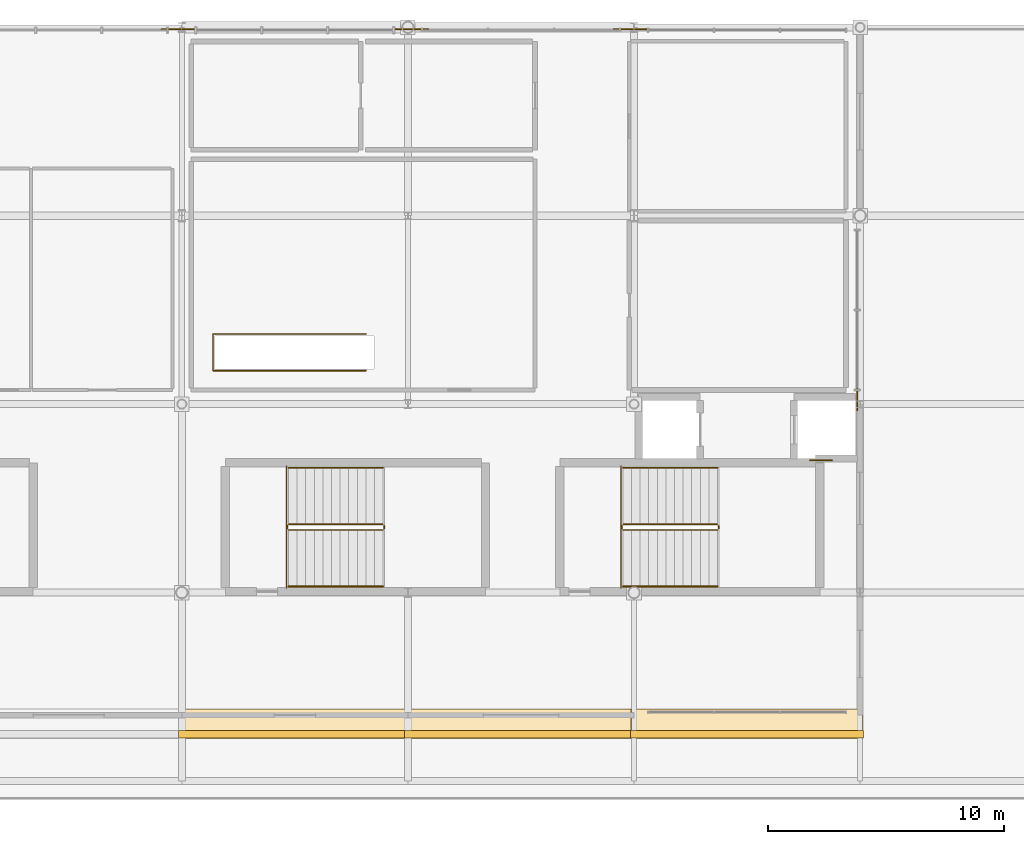
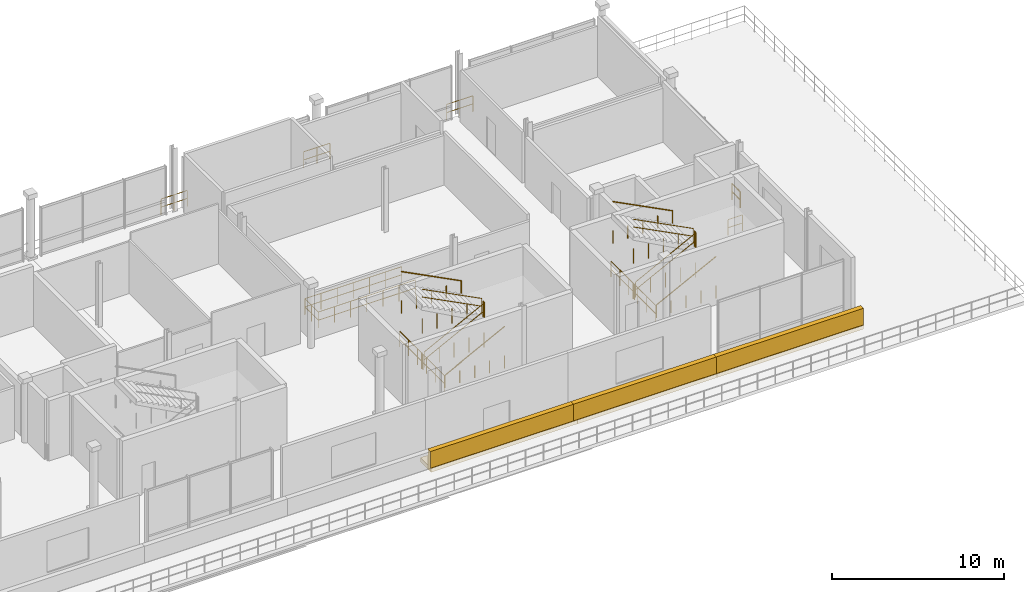
# One storey, part 25 of 26: 20 railings, 6 coverings.
"""IFC4 building model written with IfcOpenShell, lengths in metres."""

from ifc_helpers import new_model, si_unit, direction, frame, origin, origin_2d, place, context, subcontext, project, spatial, rectangle, circle, extrude, material, layer, layer_set, type_object, element, save


model = new_model("IFC4")

# Units and contexts
model_context = context("Model", 3, precision=1e-05, world=origin(), true_north=direction((0.0, 1.0)))
body_context = subcontext(model_context, "Body", "Model", "MODEL_VIEW")
ifc_project = project(units=[si_unit("LENGTHUNIT", "METRE"), si_unit("AREAUNIT", "SQUARE_METRE"), si_unit("VOLUMEUNIT", "CUBIC_METRE"), si_unit("PLANEANGLEUNIT", "RADIAN"), si_unit("MASSUNIT", "GRAM", prefix="KILO")], contexts=[model_context])

# Site, building, storey
site_placement = place(None, origin())
site = spatial("IfcSite", under=ifc_project, at=site_placement, CompositionType="ELEMENT")
building_placement = place(site_placement, origin())
building = spatial("IfcBuilding", under=site, at=building_placement, Name="Danafjord Basin Convention Centre", CompositionType="ELEMENT")
storey_placement = place(building_placement, frame((0.0, 0.0, 24.89990234375)))
storey = spatial("IfcBuildingStorey", under=building, at=storey_placement, Name="L05", CompositionType="ELEMENT", Elevation=24.89990234375)

# Coverings
ifc_material_1 = material(Name="Architectural white precast concrete C45/55", Category="concrete")
ifc_layer = layer(ifc_material_1, 0.320068359375)
ifc_layer_set = layer_set([ifc_layer], Name="Architectural white precast concrete C45/55")
covering_type = type_object("IfcCoveringType", Name="COV-BAND-HORIZ", PredefinedType="CLADDING", material=ifc_layer_set)
covering_1_placement = place(storey_placement, frame((72.0, 10.425048828125, -0.27978515625), z_axis=(0.0, 0.0, 1.0), x_axis=(1.0, 0.0, 0.0)))
element("IfcCovering", 1, at=covering_1_placement, inside=storey, type_object=covering_type, Name="L05 stepped horizontal band soffit plate 55", PredefinedType="CLADDING", context=body_context, shape_type="SweptSolid", body=[
    extrude(rectangle(XDim=9.840087890625, YDim=1.25, at=origin_2d()), origin(), (0.0, 0.0, 1.0), 0.280029296875),
])
covering_2_placement = place(storey_placement, frame((72.0, 9.989990234375, -0.23974609375), z_axis=(0.0, 0.0, 1.0), x_axis=(1.0, 0.0, 0.0)))
element("IfcCovering", 2, at=covering_2_placement, inside=storey, type_object=covering_type, Name="L05 layered horizontal white spandrel band 55", PredefinedType="CLADDING", context=body_context, shape_type="SweptSolid", body=[
    extrude(rectangle(XDim=9.8798828125, YDim=0.320068359375, at=origin_2d()), origin(), (0.0, 0.0, 1.0), 1.419921875),
])
covering_3_placement = place(storey_placement, frame((81.60009765625, 10.425048828125, -0.27978515625), z_axis=(0.0, 0.0, 1.0), x_axis=(1.0, 0.0, 0.0)))
element("IfcCovering", 3, at=covering_3_placement, inside=storey, type_object=covering_type, Name="L05 stepped horizontal band soffit plate 56", PredefinedType="CLADDING", context=body_context, shape_type="SweptSolid", body=[
    extrude(rectangle(XDim=9.840087890625, YDim=1.25, at=origin_2d()), origin(), (0.0, 0.0, 1.0), 0.280029296875),
])
covering_4_placement = place(storey_placement, frame((81.60009765625, 9.989990234375, -0.23974609375), z_axis=(0.0, 0.0, 1.0), x_axis=(1.0, 0.0, 0.0)))
element("IfcCovering", 4, at=covering_4_placement, inside=storey, type_object=covering_type, Name="L05 layered horizontal white spandrel band 56", PredefinedType="CLADDING", context=body_context, shape_type="SweptSolid", body=[
    extrude(rectangle(XDim=9.8798828125, YDim=0.320068359375, at=origin_2d()), origin(), (0.0, 0.0, 1.0), 1.419921875),
])
covering_5_placement = place(storey_placement, frame((91.199951171875, 10.425048828125, -0.27978515625), z_axis=(0.0, 0.0, 1.0), x_axis=(1.0, 0.0, 0.0)))
element("IfcCovering", 5, at=covering_5_placement, inside=storey, type_object=covering_type, Name="L05 stepped horizontal band soffit plate 57", PredefinedType="CLADDING", context=body_context, shape_type="SweptSolid", body=[
    extrude(rectangle(XDim=9.840087890625, YDim=1.25, at=origin_2d()), origin(), (0.0, 0.0, 1.0), 0.280029296875),
])
covering_6_placement = place(storey_placement, frame((91.199951171875, 9.989990234375, -0.23974609375), z_axis=(0.0, 0.0, 1.0), x_axis=(1.0, 0.0, 0.0)))
element("IfcCovering", 6, at=covering_6_placement, inside=storey, type_object=covering_type, Name="L05 layered horizontal white spandrel band 57", PredefinedType="CLADDING", context=body_context, shape_type="SweptSolid", body=[
    extrude(rectangle(XDim=9.8798828125, YDim=0.320068359375, at=origin_2d()), origin(), (0.0, 0.0, 1.0), 1.419921875),
])

# Railings
ifc_material_2 = material(Name="Laminated structural glass and stainless steel", Category="steel")
railing_type_1 = type_object("IfcRailingType", Name="RL-BAL-GLS", PredefinedType="BALUSTRADE", material=ifc_material_2)
for number, where, name in (
    (7, (66.320068359375, 39.919921875, 0.0), "L05 safety guard balustrade 314"),
    (8, (75.919921875, 39.919921875, 0.0), "L05 safety guard balustrade 315"),
    (9, (85.52001953125, 39.919921875, 0.0), "L05 safety guard balustrade 316"),
):
    element("IfcRailing", number, at=place(storey_placement, frame(where)), inside=storey, type_object=railing_type_1, Name=name, PredefinedType="BALUSTRADE", context=body_context, shape_type="SweptSolid", body=[
        extrude(circle(Radius=0.02392578125, at=origin_2d()), frame((0.0, 0.0, 1.1259765625), z_axis=(1.0, 0.0, 0.0), x_axis=(0.0, 1.0, 0.0)), (0.0, 0.0, 1.0), 1.760009765625),
        extrude(circle(Radius=0.02392578125, at=origin_2d()), frame((0.0, 0.0, 0.55078125), z_axis=(1.0, 0.0, 0.0), x_axis=(0.0, 1.0, 0.0)), (0.0, 0.0, 1.0), 1.760009765625),
        extrude(circle(Radius=0.02099609375, at=origin_2d()), origin(), (0.0, 0.0, 1.0), 1.099853515625),
        extrude(circle(Radius=0.02099609375, at=origin_2d()), frame((0.8798828125, 0.0, 0.0)), (0.0, 0.0, 1.0), 1.099853515625),
        extrude(circle(Radius=0.02099609375, at=origin_2d()), frame((1.760009765625, 0.0, 0.0)), (0.0, 0.0, 1.0), 1.099853515625),
    ])
railing_1_placement = place(storey_placement, frame((93.85009765625, 21.6201171875, 0.0)))
element("IfcRailing", 10, at=railing_1_placement, inside=storey, type_object=railing_type_1, Name="L05 safety guard balustrade 318", PredefinedType="BALUSTRADE", context=body_context, shape_type="SweptSolid", body=[
    extrude(circle(Radius=0.02392578125, at=origin_2d()), frame((0.0, 0.0, 1.1259765625), z_axis=(1.0, 0.0, 0.0), x_axis=(0.0, 1.0, 0.0)), (0.0, 0.0, 1.0), 0.969970703125),
    extrude(circle(Radius=0.02392578125, at=origin_2d()), frame((0.0, 0.0, 0.55078125), z_axis=(1.0, 0.0, 0.0), x_axis=(0.0, 1.0, 0.0)), (0.0, 0.0, 1.0), 0.969970703125),
    extrude(circle(Radius=0.02099609375, at=origin_2d()), origin(), (0.0, 0.0, 1.0), 1.099853515625),
    extrude(circle(Radius=0.02099609375, at=origin_2d()), frame((0.969970703125, 0.0, 0.0)), (0.0, 0.0, 1.0), 1.099853515625),
])
railing_2_placement = place(storey_placement, frame((95.8798828125, 23.719970703125, 0.0)))
element("IfcRailing", 11, at=railing_2_placement, inside=storey, type_object=railing_type_1, Name="L05 safety guard balustrade 319", PredefinedType="BALUSTRADE", context=body_context, shape_type="SweptSolid", body=[
    extrude(circle(Radius=0.02392578125, at=origin_2d()), frame((0.0, 0.0, 1.1259765625), z_axis=(0.0, 1.0, 0.0), x_axis=(-1.0, 0.0, 0.0)), (0.0, 0.0, 1.0), 0.93994140625),
    extrude(circle(Radius=0.02392578125, at=origin_2d()), frame((0.0, 0.0, 0.55078125), z_axis=(0.0, 1.0, 0.0), x_axis=(-1.0, 0.0, 0.0)), (0.0, 0.0, 1.0), 0.93994140625),
    extrude(circle(Radius=0.02099609375, at=origin_2d()), origin(), (0.0, 0.0, 1.0), 1.099853515625),
    extrude(circle(Radius=0.02099609375, at=origin_2d()), frame((0.0, 0.93994140625, 0.0)), (0.0, 0.0, 1.0), 1.099853515625),
])
railing_3_placement = place(storey_placement, frame((85.85009765625, 21.375, 0.0)))
element("IfcRailing", 12, at=railing_3_placement, inside=storey, type_object=railing_type_1, Name="L05 safety guard balustrade 320", PredefinedType="BALUSTRADE", context=body_context, shape_type="SweptSolid", body=[
    extrude(circle(Radius=0.02392578125, at=origin_2d()), frame((0.0, 0.0, 1.1259765625), z_axis=(0.0, -1.0, 0.0), x_axis=(1.0, 0.0, 0.0)), (0.0, 0.0, 1.0), 5.18994140625),
    extrude(circle(Radius=0.02392578125, at=origin_2d()), frame((0.0, 0.0, 0.55078125), z_axis=(0.0, -1.0, 0.0), x_axis=(1.0, 0.0, 0.0)), (0.0, 0.0, 1.0), 5.18994140625),
    extrude(circle(Radius=0.02099609375, at=origin_2d()), origin(), (0.0, 0.0, 1.0), 1.099853515625),
    extrude(circle(Radius=0.02099609375, at=origin_2d()), frame((0.0, -1.0380859375, 0.0)), (0.0, 0.0, 1.0), 1.099853515625),
    extrude(circle(Radius=0.02099609375, at=origin_2d()), frame((0.0, -2.075927734375, 0.0)), (0.0, 0.0, 1.0), 1.099853515625),
    extrude(circle(Radius=0.02099609375, at=origin_2d()), frame((0.0, -3.114013671875, 0.0)), (0.0, 0.0, 1.0), 1.099853515625),
    extrude(circle(Radius=0.02099609375, at=origin_2d()), frame((0.0, -4.15185546875, 0.0)), (0.0, 0.0, 1.0), 1.099853515625),
    extrude(circle(Radius=0.02099609375, at=origin_2d()), frame((0.0, -5.18994140625, 0.0)), (0.0, 0.0, 1.0), 1.099853515625),
])
railing_4_placement = place(storey_placement, frame((75.030029296875, 26.97998046875, 0.0)))
element("IfcRailing", 13, at=railing_4_placement, inside=storey, type_object=railing_type_1, Name="L05 safety guard balustrade 322", PredefinedType="BALUSTRADE", context=body_context, shape_type="SweptSolid", body=[
    extrude(circle(Radius=0.02392578125, at=origin_2d()), frame((0.0, 0.0, 1.1259765625), z_axis=(-1.0, 0.0, 0.0), x_axis=(0.0, -1.0, 0.0)), (0.0, 0.0, 1.0), 6.510009765625),
    extrude(circle(Radius=0.02392578125, at=origin_2d()), frame((0.0, 0.0, 0.55078125), z_axis=(-1.0, 0.0, 0.0), x_axis=(0.0, -1.0, 0.0)), (0.0, 0.0, 1.0), 6.510009765625),
    extrude(circle(Radius=0.02392578125, at=origin_2d()), frame((-6.510009765625, 0.0, 1.1259765625), z_axis=(0.0, -1.0, 0.0), x_axis=(1.0, 0.0, 0.0)), (0.0, 0.0, 1.0), 1.56005859375),
    extrude(circle(Radius=0.02392578125, at=origin_2d()), frame((-6.510009765625, 0.0, 0.55078125), z_axis=(0.0, -1.0, 0.0), x_axis=(1.0, 0.0, 0.0)), (0.0, 0.0, 1.0), 1.56005859375),
    extrude(circle(Radius=0.02392578125, at=origin_2d()), frame((-6.510009765625, -1.56005859375, 1.1259765625), z_axis=(1.0, 0.0, 0.0), x_axis=(0.0, 1.0, 0.0)), (0.0, 0.0, 1.0), 6.510009765625),
    extrude(circle(Radius=0.02392578125, at=origin_2d()), frame((-6.510009765625, -1.56005859375, 0.55078125), z_axis=(1.0, 0.0, 0.0), x_axis=(0.0, 1.0, 0.0)), (0.0, 0.0, 1.0), 6.510009765625),
    extrude(circle(Radius=0.02099609375, at=origin_2d()), origin(), (0.0, 0.0, 1.0), 1.099853515625),
    extrude(circle(Radius=0.02099609375, at=origin_2d()), frame((-1.0849609375, 0.0, 0.0)), (0.0, 0.0, 1.0), 1.099853515625),
    extrude(circle(Radius=0.02099609375, at=origin_2d()), frame((-2.169921875, 0.0, 0.0)), (0.0, 0.0, 1.0), 1.099853515625),
    extrude(circle(Radius=0.02099609375, at=origin_2d()), frame((-3.2548828125, 0.0, 0.0)), (0.0, 0.0, 1.0), 1.099853515625),
    extrude(circle(Radius=0.02099609375, at=origin_2d()), frame((-4.340087890625, 0.0, 0.0)), (0.0, 0.0, 1.0), 1.099853515625),
    extrude(circle(Radius=0.02099609375, at=origin_2d()), frame((-5.425048828125, 0.0, 0.0)), (0.0, 0.0, 1.0), 1.099853515625),
    extrude(circle(Radius=0.02099609375, at=origin_2d()), frame((-6.510009765625, 0.0, 0.0)), (0.0, 0.0, 1.0), 1.099853515625),
    extrude(circle(Radius=0.02099609375, at=origin_2d()), frame((-6.510009765625, -0.780029296875, 0.0)), (0.0, 0.0, 1.0), 1.099853515625),
    extrude(circle(Radius=0.02099609375, at=origin_2d()), frame((-6.510009765625, -1.56005859375, 0.0)), (0.0, 0.0, 1.0), 1.099853515625),
    extrude(circle(Radius=0.02099609375, at=origin_2d()), frame((-5.425048828125, -1.56005859375, 0.0)), (0.0, 0.0, 1.0), 1.099853515625),
    extrude(circle(Radius=0.02099609375, at=origin_2d()), frame((-4.340087890625, -1.56005859375, 0.0)), (0.0, 0.0, 1.0), 1.099853515625),
    extrude(circle(Radius=0.02099609375, at=origin_2d()), frame((-3.2548828125, -1.56005859375, 0.0)), (0.0, 0.0, 1.0), 1.099853515625),
    extrude(circle(Radius=0.02099609375, at=origin_2d()), frame((-2.169921875, -1.56005859375, 0.0)), (0.0, 0.0, 1.0), 1.099853515625),
    extrude(circle(Radius=0.02099609375, at=origin_2d()), frame((-1.0849609375, -1.56005859375, 0.0)), (0.0, 0.0, 1.0), 1.099853515625),
    extrude(circle(Radius=0.02099609375, at=origin_2d()), frame((0.0, -1.56005859375, 0.0)), (0.0, 0.0, 1.0), 1.099853515625),
])
ifc_material_3 = material(Name="Galvanised and powder-coated steel S355", Category="steel")
railing_type_2 = type_object("IfcRailingType", Name="RL-BAL-STL", PredefinedType="BALUSTRADE", material=ifc_material_3)
railing_5_placement = place(storey_placement, frame((71.64990234375, 21.375, 0.0)))
element("IfcRailing", 14, at=railing_5_placement, inside=storey, type_object=railing_type_2, Name="L05 safety guard balustrade 321", PredefinedType="BALUSTRADE", context=body_context, shape_type="SweptSolid", body=[
    extrude(circle(Radius=0.02392578125, at=origin_2d()), frame((0.0, 0.0, 1.1259765625), z_axis=(0.0, -1.0, 0.0), x_axis=(1.0, 0.0, 0.0)), (0.0, 0.0, 1.0), 5.18994140625),
    extrude(circle(Radius=0.02392578125, at=origin_2d()), frame((0.0, 0.0, 0.55078125), z_axis=(0.0, -1.0, 0.0), x_axis=(1.0, 0.0, 0.0)), (0.0, 0.0, 1.0), 5.18994140625),
    extrude(circle(Radius=0.02099609375, at=origin_2d()), origin(), (0.0, 0.0, 1.0), 1.099853515625),
    extrude(circle(Radius=0.02099609375, at=origin_2d()), frame((0.0, -1.0380859375, 0.0)), (0.0, 0.0, 1.0), 1.099853515625),
    extrude(circle(Radius=0.02099609375, at=origin_2d()), frame((0.0, -2.075927734375, 0.0)), (0.0, 0.0, 1.0), 1.099853515625),
    extrude(circle(Radius=0.02099609375, at=origin_2d()), frame((0.0, -3.114013671875, 0.0)), (0.0, 0.0, 1.0), 1.099853515625),
    extrude(circle(Radius=0.02099609375, at=origin_2d()), frame((0.0, -4.15185546875, 0.0)), (0.0, 0.0, 1.0), 1.099853515625),
    extrude(circle(Radius=0.02099609375, at=origin_2d()), frame((0.0, -5.18994140625, 0.0)), (0.0, 0.0, 1.0), 1.099853515625),
])
ifc_material_4 = material(Name="Galvanised steel S355", Category="steel")
railing_type_3 = type_object("IfcRailingType", Name="RL-GD-WELL", PredefinedType="BALUSTRADE", material=ifc_material_4)
railing_6_placement = place(storey_placement, frame((85.929931640625, 18.659912109375, 0.1875)))
element("IfcRailing", 15, at=railing_6_placement, inside=storey, type_object=railing_type_3, Name="L05 ST-03 stair guard 1", PredefinedType="BALUSTRADE", context=body_context, shape_type="SweptSolid", body=[
    extrude(circle(Radius=0.02392578125, at=origin_2d()), frame((0.0, 0.0, 1.076171875), z_axis=(0.889506420944, 0.0, 0.45692267081), x_axis=(0.0, 1.0, 0.0)), (0.0, 0.0, 1.0), 4.513916015625),
    extrude(circle(Radius=0.02392578125, at=origin_2d()), frame((0.0, 0.0, 0.52587890625), z_axis=(0.889506420944, 0.0, 0.45692267081), x_axis=(0.0, 1.0, 0.0)), (0.0, 0.0, 1.0), 4.513916015625),
    extrude(circle(Radius=0.02099609375, at=origin_2d()), origin(), (0.0, 0.0, 1.0), 1.050048828125),
    extrude(circle(Radius=0.02099609375, at=origin_2d()), frame((1.00390625, 0.0, 0.0)), (0.0, 0.0, 1.0), 1.050048828125),
    extrude(circle(Radius=0.02099609375, at=origin_2d()), frame((2.007568359375, 0.0, 0.0)), (0.0, 0.0, 1.0), 1.050048828125),
    extrude(circle(Radius=0.02099609375, at=origin_2d()), frame((3.01123046875, 0.0, 0.0)), (0.0, 0.0, 1.0), 1.050048828125),
    extrude(circle(Radius=0.02099609375, at=origin_2d()), frame((4.01513671875, 0.0, 0.0)), (0.0, 0.0, 1.0), 1.050048828125),
])
railing_7_placement = place(storey_placement, frame((89.9951171875, 18.7099609375, 2.25)))
element("IfcRailing", 16, at=railing_7_placement, inside=storey, type_object=railing_type_3, Name="L05 ST-03 stair guard 2", PredefinedType="BALUSTRADE", context=body_context, shape_type="SweptSolid", body=[
    extrude(circle(Radius=0.02392578125, at=origin_2d()), frame((0.0, 0.0, 1.076171875), z_axis=(0.0, 1.0, 0.0), x_axis=(-1.0, 0.0, 0.0)), (0.0, 0.0, 1.0), 0.14013671875),
    extrude(circle(Radius=0.02392578125, at=origin_2d()), frame((0.0, 0.0, 0.52587890625), z_axis=(0.0, 1.0, 0.0), x_axis=(-1.0, 0.0, 0.0)), (0.0, 0.0, 1.0), 0.14013671875),
    extrude(circle(Radius=0.02099609375, at=origin_2d()), origin(), (0.0, 0.0, 1.0), 1.050048828125),
    extrude(circle(Radius=0.02099609375, at=origin_2d()), frame((0.0, 0.14013671875, 0.0)), (0.0, 0.0, 1.0), 1.050048828125),
])
railing_8_placement = place(storey_placement, frame((89.945068359375, 18.89990234375, 2.4375)))
element("IfcRailing", 17, at=railing_8_placement, inside=storey, type_object=railing_type_3, Name="L05 ST-03 stair guard 3", PredefinedType="BALUSTRADE", context=body_context, shape_type="SweptSolid", body=[
    extrude(circle(Radius=0.02392578125, at=origin_2d()), frame((0.0, 0.0, 1.076171875), z_axis=(-0.889506420944, 0.0, 0.45692267081), x_axis=(0.0, -1.0, 0.0)), (0.0, 0.0, 1.0), 4.513916015625),
    extrude(circle(Radius=0.02392578125, at=origin_2d()), frame((0.0, 0.0, 0.52587890625), z_axis=(-0.889506420944, 0.0, 0.45692267081), x_axis=(0.0, -1.0, 0.0)), (0.0, 0.0, 1.0), 4.513916015625),
    extrude(circle(Radius=0.02099609375, at=origin_2d()), origin(), (0.0, 0.0, 1.0), 1.050048828125),
    extrude(circle(Radius=0.02099609375, at=origin_2d()), frame((-1.00390625, 0.0, 0.0)), (0.0, 0.0, 1.0), 1.050048828125),
    extrude(circle(Radius=0.02099609375, at=origin_2d()), frame((-2.007568359375, 0.0, 0.0)), (0.0, 0.0, 1.0), 1.050048828125),
    extrude(circle(Radius=0.02099609375, at=origin_2d()), frame((-3.01123046875, 0.0, 0.0)), (0.0, 0.0, 1.0), 1.050048828125),
    extrude(circle(Radius=0.02099609375, at=origin_2d()), frame((-4.01513671875, 0.0, 0.0)), (0.0, 0.0, 1.0), 1.050048828125),
])
railing_9_placement = place(storey_placement, frame((85.8798828125, 18.7099609375, 0.0)))
element("IfcRailing", 18, at=railing_9_placement, inside=storey, type_object=railing_type_3, Name="L05 ST-03 stair guard 4", PredefinedType="BALUSTRADE", context=body_context, shape_type="SweptSolid", body=[
    extrude(circle(Radius=0.02392578125, at=origin_2d()), frame((0.0, 0.0, 1.076171875), z_axis=(0.0, 1.0, 0.0), x_axis=(-1.0, 0.0, 0.0)), (0.0, 0.0, 1.0), 0.14013671875),
    extrude(circle(Radius=0.02392578125, at=origin_2d()), frame((0.0, 0.0, 0.52587890625), z_axis=(0.0, 1.0, 0.0), x_axis=(-1.0, 0.0, 0.0)), (0.0, 0.0, 1.0), 0.14013671875),
    extrude(circle(Radius=0.02099609375, at=origin_2d()), origin(), (0.0, 0.0, 1.0), 1.050048828125),
    extrude(circle(Radius=0.02099609375, at=origin_2d()), frame((0.0, 0.14013671875, 0.0)), (0.0, 0.0, 1.0), 1.050048828125),
])
railing_10_placement = place(storey_placement, frame((71.72998046875, 18.659912109375, 0.1875)))
element("IfcRailing", 19, at=railing_10_placement, inside=storey, type_object=railing_type_3, Name="L05 ST-06 stair guard 1", PredefinedType="BALUSTRADE", context=body_context, shape_type="SweptSolid", body=[
    extrude(circle(Radius=0.02392578125, at=origin_2d()), frame((0.0, 0.0, 1.076171875), z_axis=(0.889506420944, 0.0, 0.45692267081), x_axis=(0.0, 1.0, 0.0)), (0.0, 0.0, 1.0), 4.513916015625),
    extrude(circle(Radius=0.02392578125, at=origin_2d()), frame((0.0, 0.0, 0.52587890625), z_axis=(0.889506420944, 0.0, 0.45692267081), x_axis=(0.0, 1.0, 0.0)), (0.0, 0.0, 1.0), 4.513916015625),
    extrude(circle(Radius=0.02099609375, at=origin_2d()), origin(), (0.0, 0.0, 1.0), 1.050048828125),
    extrude(circle(Radius=0.02099609375, at=origin_2d()), frame((1.00390625, 0.0, 0.0)), (0.0, 0.0, 1.0), 1.050048828125),
    extrude(circle(Radius=0.02099609375, at=origin_2d()), frame((2.007568359375, 0.0, 0.0)), (0.0, 0.0, 1.0), 1.050048828125),
    extrude(circle(Radius=0.02099609375, at=origin_2d()), frame((3.01123046875, 0.0, 0.0)), (0.0, 0.0, 1.0), 1.050048828125),
    extrude(circle(Radius=0.02099609375, at=origin_2d()), frame((4.01513671875, 0.0, 0.0)), (0.0, 0.0, 1.0), 1.050048828125),
])
railing_11_placement = place(storey_placement, frame((75.794921875, 18.7099609375, 2.25)))
element("IfcRailing", 20, at=railing_11_placement, inside=storey, type_object=railing_type_3, Name="L05 ST-06 stair guard 2", PredefinedType="BALUSTRADE", context=body_context, shape_type="SweptSolid", body=[
    extrude(circle(Radius=0.02392578125, at=origin_2d()), frame((0.0, 0.0, 1.076171875), z_axis=(0.0, 1.0, 0.0), x_axis=(-1.0, 0.0, 0.0)), (0.0, 0.0, 1.0), 0.14013671875),
    extrude(circle(Radius=0.02392578125, at=origin_2d()), frame((0.0, 0.0, 0.52587890625), z_axis=(0.0, 1.0, 0.0), x_axis=(-1.0, 0.0, 0.0)), (0.0, 0.0, 1.0), 0.14013671875),
    extrude(circle(Radius=0.02099609375, at=origin_2d()), origin(), (0.0, 0.0, 1.0), 1.050048828125),
    extrude(circle(Radius=0.02099609375, at=origin_2d()), frame((0.0, 0.14013671875, 0.0)), (0.0, 0.0, 1.0), 1.050048828125),
])
railing_12_placement = place(storey_placement, frame((75.7451171875, 18.89990234375, 2.4375)))
element("IfcRailing", 21, at=railing_12_placement, inside=storey, type_object=railing_type_3, Name="L05 ST-06 stair guard 3", PredefinedType="BALUSTRADE", context=body_context, shape_type="SweptSolid", body=[
    extrude(circle(Radius=0.02392578125, at=origin_2d()), frame((0.0, 0.0, 1.076171875), z_axis=(-0.889506420944, 0.0, 0.45692267081), x_axis=(0.0, -1.0, 0.0)), (0.0, 0.0, 1.0), 4.513916015625),
    extrude(circle(Radius=0.02392578125, at=origin_2d()), frame((0.0, 0.0, 0.52587890625), z_axis=(-0.889506420944, 0.0, 0.45692267081), x_axis=(0.0, -1.0, 0.0)), (0.0, 0.0, 1.0), 4.513916015625),
    extrude(circle(Radius=0.02099609375, at=origin_2d()), origin(), (0.0, 0.0, 1.0), 1.050048828125),
    extrude(circle(Radius=0.02099609375, at=origin_2d()), frame((-1.00390625, 0.0, 0.0)), (0.0, 0.0, 1.0), 1.050048828125),
    extrude(circle(Radius=0.02099609375, at=origin_2d()), frame((-2.007568359375, 0.0, 0.0)), (0.0, 0.0, 1.0), 1.050048828125),
    extrude(circle(Radius=0.02099609375, at=origin_2d()), frame((-3.01123046875, 0.0, 0.0)), (0.0, 0.0, 1.0), 1.050048828125),
    extrude(circle(Radius=0.02099609375, at=origin_2d()), frame((-4.01513671875, 0.0, 0.0)), (0.0, 0.0, 1.0), 1.050048828125),
])
railing_13_placement = place(storey_placement, frame((71.679931640625, 18.7099609375, 0.0)))
element("IfcRailing", 22, at=railing_13_placement, inside=storey, type_object=railing_type_3, Name="L05 ST-06 stair guard 4", PredefinedType="BALUSTRADE", context=body_context, shape_type="SweptSolid", body=[
    extrude(circle(Radius=0.02392578125, at=origin_2d()), frame((0.0, 0.0, 1.076171875), z_axis=(0.0, 1.0, 0.0), x_axis=(-1.0, 0.0, 0.0)), (0.0, 0.0, 1.0), 0.14013671875),
    extrude(circle(Radius=0.02392578125, at=origin_2d()), frame((0.0, 0.0, 0.52587890625), z_axis=(0.0, 1.0, 0.0), x_axis=(-1.0, 0.0, 0.0)), (0.0, 0.0, 1.0), 0.14013671875),
    extrude(circle(Radius=0.02099609375, at=origin_2d()), origin(), (0.0, 0.0, 1.0), 1.050048828125),
    extrude(circle(Radius=0.02099609375, at=origin_2d()), frame((0.0, 0.14013671875, 0.0)), (0.0, 0.0, 1.0), 1.050048828125),
])
ifc_material_5 = material(Name="Brushed stainless steel EN 1.4404", Category="steel")
railing_type_4 = type_object("IfcRailingType", Name="RL-HR-STAIR", PredefinedType="HANDRAIL", material=ifc_material_5)
railing_14_placement = place(storey_placement, frame((85.929931640625, 16.260009765625, 0.1875)))
element("IfcRailing", 23, at=railing_14_placement, inside=storey, type_object=railing_type_4, Name="L05 ST-03 stair handrail 1", PredefinedType="HANDRAIL", context=body_context, shape_type="SweptSolid", body=[
    extrude(circle(Radius=0.02392578125, at=origin_2d()), frame((0.0, 0.0, 0.8759765625), z_axis=(0.889506420944, 0.0, 0.45692267081), x_axis=(0.0, 1.0, 0.0)), (0.0, 0.0, 1.0), 4.513916015625),
    extrude(circle(Radius=0.02099609375, at=origin_2d()), origin(), (0.0, 0.0, 1.0), 0.849853515625),
    extrude(circle(Radius=0.02099609375, at=origin_2d()), frame((1.00390625, 0.0, 0.0)), (0.0, 0.0, 1.0), 0.849853515625),
    extrude(circle(Radius=0.02099609375, at=origin_2d()), frame((2.007568359375, 0.0, 0.0)), (0.0, 0.0, 1.0), 0.849853515625),
    extrude(circle(Radius=0.02099609375, at=origin_2d()), frame((3.01123046875, 0.0, 0.0)), (0.0, 0.0, 1.0), 0.849853515625),
    extrude(circle(Radius=0.02099609375, at=origin_2d()), frame((4.01513671875, 0.0, 0.0)), (0.0, 0.0, 1.0), 0.849853515625),
])
railing_15_placement = place(storey_placement, frame((89.945068359375, 21.300048828125, 2.4375)))
element("IfcRailing", 24, at=railing_15_placement, inside=storey, type_object=railing_type_4, Name="L05 ST-03 stair handrail 2", PredefinedType="HANDRAIL", context=body_context, shape_type="SweptSolid", body=[
    extrude(circle(Radius=0.02392578125, at=origin_2d()), frame((0.0, 0.0, 0.8759765625), z_axis=(-0.889506420944, 0.0, 0.45692267081), x_axis=(0.0, -1.0, 0.0)), (0.0, 0.0, 1.0), 4.513916015625),
    extrude(circle(Radius=0.02099609375, at=origin_2d()), origin(), (0.0, 0.0, 1.0), 0.849853515625),
    extrude(circle(Radius=0.02099609375, at=origin_2d()), frame((-1.00390625, 0.0, 0.0)), (0.0, 0.0, 1.0), 0.849853515625),
    extrude(circle(Radius=0.02099609375, at=origin_2d()), frame((-2.007568359375, 0.0, 0.0)), (0.0, 0.0, 1.0), 0.849853515625),
    extrude(circle(Radius=0.02099609375, at=origin_2d()), frame((-3.01123046875, 0.0, 0.0)), (0.0, 0.0, 1.0), 0.849853515625),
    extrude(circle(Radius=0.02099609375, at=origin_2d()), frame((-4.01513671875, 0.0, 0.0)), (0.0, 0.0, 1.0), 0.849853515625),
])
railing_16_placement = place(storey_placement, frame((71.72998046875, 16.260009765625, 0.1875)))
element("IfcRailing", 25, at=railing_16_placement, inside=storey, type_object=railing_type_4, Name="L05 ST-06 stair handrail 1", PredefinedType="HANDRAIL", context=body_context, shape_type="SweptSolid", body=[
    extrude(circle(Radius=0.02392578125, at=origin_2d()), frame((0.0, 0.0, 0.8759765625), z_axis=(0.889506420944, 0.0, 0.45692267081), x_axis=(0.0, 1.0, 0.0)), (0.0, 0.0, 1.0), 4.513916015625),
    extrude(circle(Radius=0.02099609375, at=origin_2d()), origin(), (0.0, 0.0, 1.0), 0.849853515625),
    extrude(circle(Radius=0.02099609375, at=origin_2d()), frame((1.00390625, 0.0, 0.0)), (0.0, 0.0, 1.0), 0.849853515625),
    extrude(circle(Radius=0.02099609375, at=origin_2d()), frame((2.007568359375, 0.0, 0.0)), (0.0, 0.0, 1.0), 0.849853515625),
    extrude(circle(Radius=0.02099609375, at=origin_2d()), frame((3.01123046875, 0.0, 0.0)), (0.0, 0.0, 1.0), 0.849853515625),
    extrude(circle(Radius=0.02099609375, at=origin_2d()), frame((4.01513671875, 0.0, 0.0)), (0.0, 0.0, 1.0), 0.849853515625),
])
railing_17_placement = place(storey_placement, frame((75.7451171875, 21.300048828125, 2.4375)))
element("IfcRailing", 26, at=railing_17_placement, inside=storey, type_object=railing_type_4, Name="L05 ST-06 stair handrail 2", PredefinedType="HANDRAIL", context=body_context, shape_type="SweptSolid", body=[
    extrude(circle(Radius=0.02392578125, at=origin_2d()), frame((0.0, 0.0, 0.8759765625), z_axis=(-0.889506420944, 0.0, 0.45692267081), x_axis=(0.0, -1.0, 0.0)), (0.0, 0.0, 1.0), 4.513916015625),
    extrude(circle(Radius=0.02099609375, at=origin_2d()), origin(), (0.0, 0.0, 1.0), 0.849853515625),
    extrude(circle(Radius=0.02099609375, at=origin_2d()), frame((-1.00390625, 0.0, 0.0)), (0.0, 0.0, 1.0), 0.849853515625),
    extrude(circle(Radius=0.02099609375, at=origin_2d()), frame((-2.007568359375, 0.0, 0.0)), (0.0, 0.0, 1.0), 0.849853515625),
    extrude(circle(Radius=0.02099609375, at=origin_2d()), frame((-3.01123046875, 0.0, 0.0)), (0.0, 0.0, 1.0), 0.849853515625),
    extrude(circle(Radius=0.02099609375, at=origin_2d()), frame((-4.01513671875, 0.0, 0.0)), (0.0, 0.0, 1.0), 0.849853515625),
])

save(model, "model.ifc")
